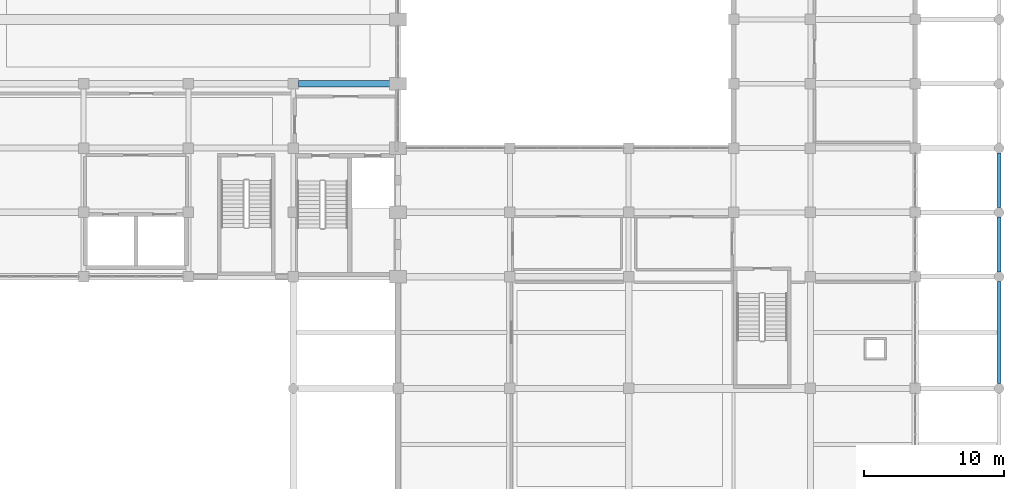
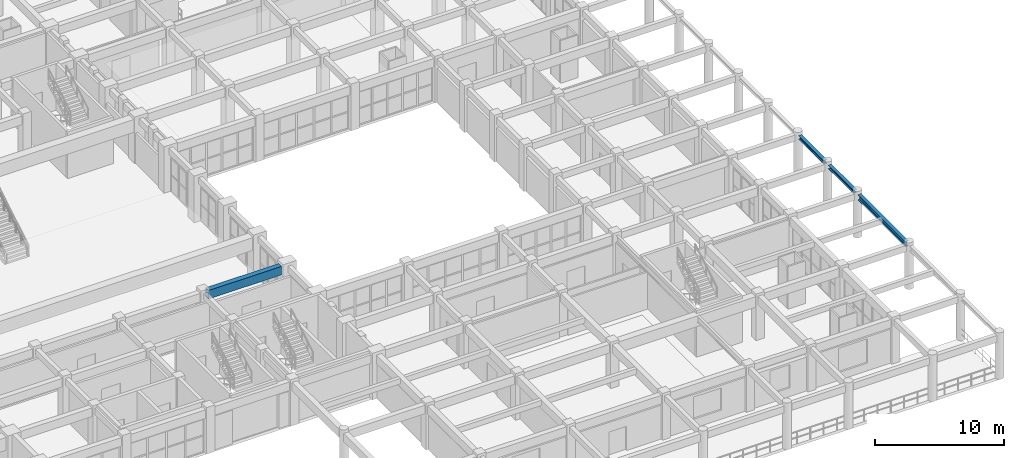
# One storey, part 62 of 116: 4 beams.
"""IFC4 building model written with IfcOpenShell, lengths in metres."""

from ifc_helpers import new_model, si_unit, direction, frame, origin, origin_2d, place, context, subcontext, project, spatial, rectangle, i_section, extrude, material, material_profile, profile_set, type_object, element, save


model = new_model("IFC4")

# Units and contexts
model_context = context("Model", 3, precision=1e-05, world=origin(), true_north=direction((0.0, 1.0)))
body_context = subcontext(model_context, "Body", "Model", "MODEL_VIEW")
ifc_project = project(units=[si_unit("LENGTHUNIT", "METRE"), si_unit("AREAUNIT", "SQUARE_METRE"), si_unit("VOLUMEUNIT", "CUBIC_METRE"), si_unit("PLANEANGLEUNIT", "RADIAN"), si_unit("MASSUNIT", "GRAM", prefix="KILO")], contexts=[model_context])

# Site, building, storey
site_placement = place(None, origin())
site = spatial("IfcSite", under=ifc_project, at=site_placement, CompositionType="ELEMENT")
building_placement = place(site_placement, origin())
building = spatial("IfcBuilding", under=site, at=building_placement, Name="Muzn Square Opera House", CompositionType="ELEMENT")
storey_placement = place(building_placement, frame((0.0, 0.0, 5.39990234375)))
storey = spatial("IfcBuildingStorey", under=building, at=storey_placement, Name="L01", CompositionType="ELEMENT", Elevation=5.39990234375)

# Beams
ifc_material_1 = material(Name="Concrete C40/50", Category="concrete")
ifc_material_profile_1 = material_profile(ifc_material_1, rectangle(XDim=0.449951171875, YDim=0.800048828125, at=origin_2d()), Name="RCB 450x800", Category="concrete")
ifc_profile_set_1 = profile_set([ifc_material_profile_1], Name="Concrete C40/50")
beam_type_1 = type_object("IfcBeamType", Name="Primary Girder 450x800", PredefinedType="BEAM", material=ifc_profile_set_1)
beam_1_placement = place(storey_placement, frame((125.866943359375, 35.800048828125, 3.72021484375), z_axis=(1.0, 0.0, 0.0), x_axis=(0.0, 1.0, 0.0)))
element("IfcBeam", 1, at=beam_1_placement, inside=storey, type_object=beam_type_1, Name="Primary Girder BM-L01-BM-PG800-1259_358_1324_358-1344", PredefinedType="BEAM", context=body_context, shape_type="SweptSolid", body=[
    extrude(rectangle(XDim=0.449951171875, YDim=0.800048828125, at=origin_2d()), origin(), (0.0, 0.0, 1.0), 6.541015625),
])
ifc_material_2 = material(Name="Steel S355", Category="steel")
ifc_material_profile_2 = material_profile(ifc_material_2, i_section(OverallWidth=0.300048828125, OverallDepth=0.330078125, WebThickness=0.009521484375, FlangeThickness=0.0166015625, FilletRadius=0.027099609375, at=origin_2d()), Name="HEA 340", Category="steel")
ifc_profile_set_2 = profile_set([ifc_material_profile_2], Name="Steel S355")
beam_type_2 = type_object("IfcBeamType", Name="Steel Spandrel Beam HEA340", PredefinedType="SPANDREL", material=ifc_profile_set_2)
for number, where, z_axis, x_axis, name in (
    (2, (176.0, 22.342041015625, 3.955078125), (0.0, 1.0, 0.0), (-1.0, 0.0, 0.0), "Spandrel Beam BM-L01-BM-SSP340-1760_223_1760_263-1785"),
    (3, (176.0, 26.94189453125, 3.955078125), (0.0, 1.0, 0.0), (-1.0, 0.0, 0.0), "Spandrel Beam BM-L01-BM-SSP340-1760_269_1760_309-1786"),
):
    element("IfcBeam", number, at=place(storey_placement, frame(where, z_axis=z_axis, x_axis=x_axis)), inside=storey, type_object=beam_type_2, Name=name, PredefinedType="SPANDREL", context=body_context, shape_type="SweptSolid", body=[
        extrude(i_section(OverallWidth=0.300048828125, OverallDepth=0.330078125, WebThickness=0.009521484375, FlangeThickness=0.0166015625, FilletRadius=0.027099609375, at=origin_2d()), origin(), (0.0, 0.0, 1.0), 3.916015625),
    ])
ifc_material_profile_3 = material_profile(ifc_material_2, i_section(OverallWidth=0.300048828125, OverallDepth=0.489990234375, WebThickness=0.011962890625, FlangeThickness=0.02294921875, FilletRadius=0.027099609375, at=origin_2d()), Name="HEA 500", Category="steel")
ifc_profile_set_3 = profile_set([ifc_material_profile_3], Name="Steel S355")
beam_type_3 = type_object("IfcBeamType", Name="Steel Spandrel Beam HEA500", PredefinedType="SPANDREL", material=ifc_profile_set_3)
beam_2_placement = place(storey_placement, frame((176.0, 14.342041015625, 3.875), z_axis=(0.0, 1.0, 0.0), x_axis=(-1.0, 0.0, 0.0)))
element("IfcBeam", 4, at=beam_2_placement, inside=storey, type_object=beam_type_3, Name="Spandrel Beam BM-L01-BM-SSP500-1760_143_1760_217-1784", PredefinedType="SPANDREL", context=body_context, shape_type="SweptSolid", body=[
    extrude(i_section(OverallWidth=0.300048828125, OverallDepth=0.489990234375, WebThickness=0.011962890625, FlangeThickness=0.02294921875, FilletRadius=0.027099609375, at=origin_2d()), origin(), (0.0, 0.0, 1.0), 7.31591796875),
])

save(model, "model.ifc")
